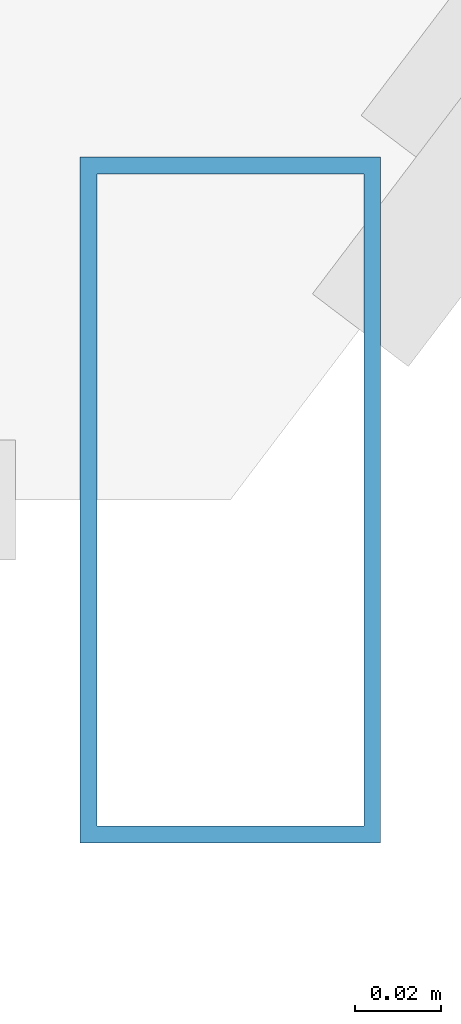
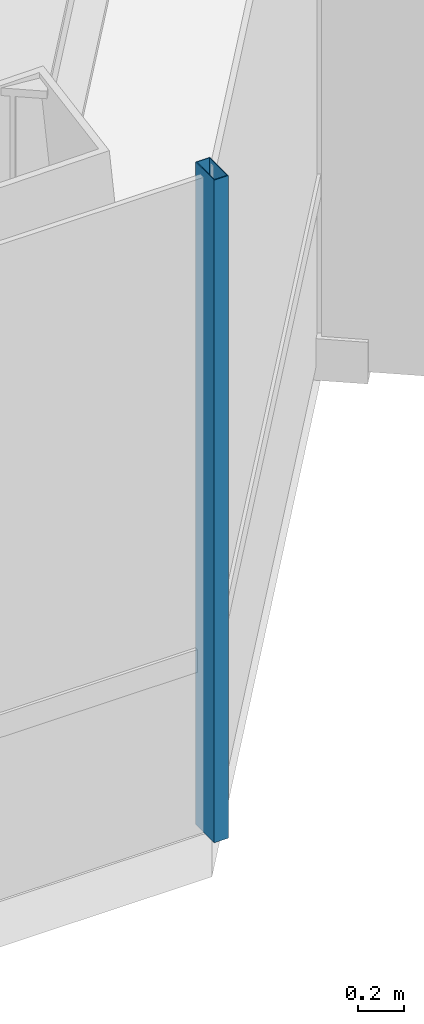
# One storey, part 8 of 27: 1 member, 1 element without a shape of its own.
"""IFC4 building model written with IfcOpenShell, lengths in metres."""

from ifc_helpers import new_model, si_unit, direction, frame, origin, origin_2d, place, context, subcontext, project, spatial, hollow_rectangle, extrude, material, layer, layer_set, material_profile, profile_set, type_object, element, aggregate, save


model = new_model("IFC4")

# Units and contexts
model_context = context("Model", 3, precision=1e-05, world=origin(), true_north=direction((0.0, 1.0)))
body_context = subcontext(model_context, "Body", "Model", "MODEL_VIEW")
ifc_project = project(units=[si_unit("LENGTHUNIT", "METRE"), si_unit("AREAUNIT", "SQUARE_METRE"), si_unit("VOLUMEUNIT", "CUBIC_METRE"), si_unit("PLANEANGLEUNIT", "RADIAN"), si_unit("MASSUNIT", "GRAM", prefix="KILO")], contexts=[model_context])

# Site, building, storey
site_placement = place(None, origin())
site = spatial("IfcSite", under=ifc_project, at=site_placement, CompositionType="ELEMENT")
building_placement = place(site_placement, origin())
building = spatial("IfcBuilding", under=site, at=building_placement, Name="Zarrinselat Tower", CompositionType="ELEMENT")
storey_placement = place(building_placement, frame((0.0, 0.0, 183.260009765625)))
storey = spatial("IfcBuildingStorey", under=building, at=storey_placement, Name="L45", CompositionType="ELEMENT", Elevation=183.260009765625)

# Curtain wall, member
ifc_material_1 = material(Name="Extruded Aluminium Alloy EN AW-6063 T6", Category="aluminium")
ifc_layer = layer(ifc_material_1, 0.175048828125)
ifc_layer_set = layer_set([ifc_layer], Name="Extruded Aluminium Alloy EN AW-6063 T6")
curtain_wall_type = type_object("IfcCurtainWallType", Name="CWS-HTL", PredefinedType="NOTDEFINED", material=ifc_layer_set)
curtain_wall_placement = place(storey_placement, origin())
curtain_wall = element("IfcCurtainWall", 1, at=curtain_wall_placement, inside=storey, type_object=curtain_wall_type, Name="L45 Unitised Curtain Wall CW-L45-E04", PredefinedType="NOTDEFINED")
ifc_material_2 = material(Name="Extruded Aluminium Alloy EN AW-6063 T6", Category="aluminium")
ifc_material_profile = material_profile(ifc_material_2, hollow_rectangle(XDim=0.070068359375, YDim=0.159912109375, WallThickness=0.00390625, at=origin_2d()), Name="RHS 160x70x4")
ifc_profile_set = profile_set([ifc_material_profile], Name="Extruded Aluminium Alloy EN AW-6063 T6")
member_type = type_object("IfcMemberType", Name="MEM-CW-MUL2", PredefinedType="MULLION", material=ifc_profile_set)
member_placement = place(storey_placement, frame((45.75830078125, 17.555419921875, 0.0), z_axis=(0.0, 0.0, 1.0), x_axis=(1.0, 0.0, 0.0)))
member = element("IfcMember", 2, at=member_placement, type_object=member_type, Name="CW-L45-E04 Mullion 4", PredefinedType="MULLION", context=body_context, shape_type="SweptSolid", body=[
    extrude(hollow_rectangle(XDim=0.070068359375, YDim=0.159912109375, WallThickness=0.00390625, at=origin_2d()), origin(), (0.0, 0.0, 1.0), 3.5),
])
aggregate(curtain_wall, [member])

save(model, "model.ifc")
